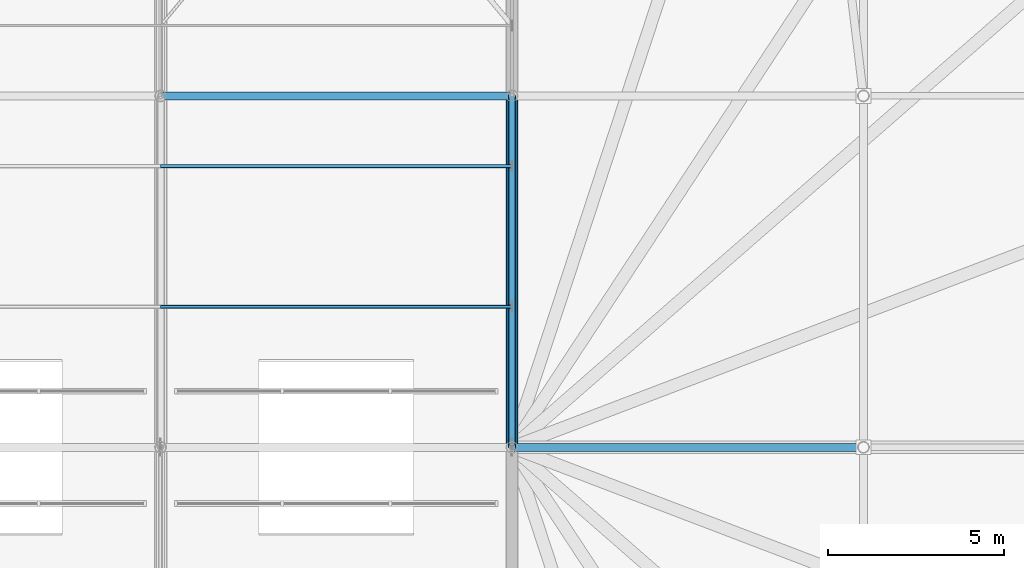
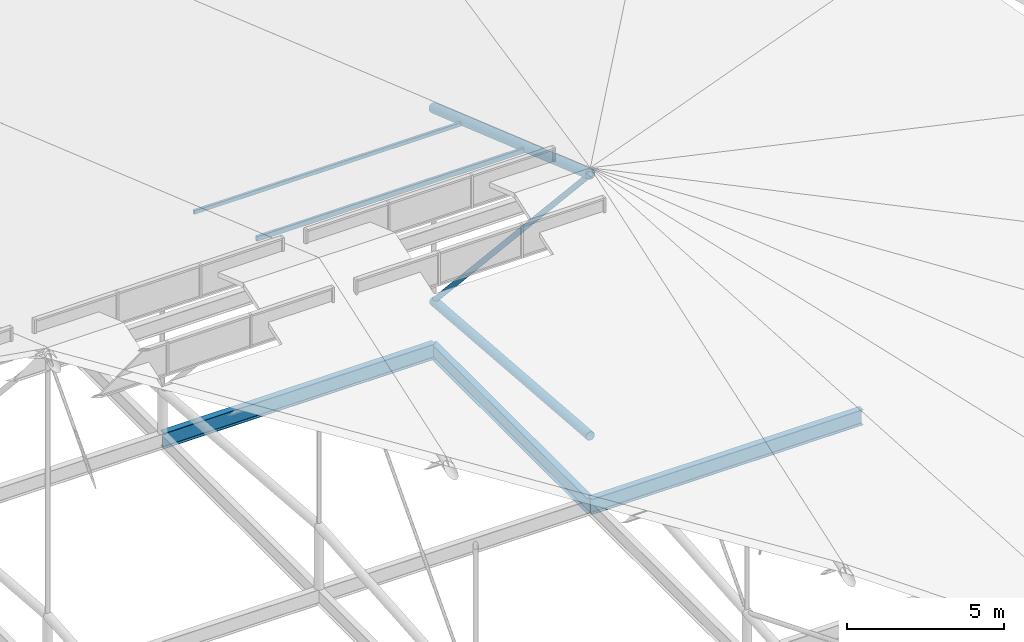
# One storey, part 68 of 93: 5 members, 3 beams.
"""IFC4 building model written with IfcOpenShell, lengths in metres."""

from ifc_helpers import new_model, si_unit, derived_unit, direction, frame, origin, origin_2d_with_axis, place, context, subcontext, project, spatial, hollow_rectangle, hollow_circle, i_section, extrude, material, material_profile, profile_set, type_object, element, save


model = new_model("IFC4")

# Units and contexts
model_context = context("Model", 3, precision=1e-05, world=origin(), true_north=direction((0.0, 1.0)))
body_context = subcontext(model_context, "Body", "Model", "MODEL_VIEW")
ifc_project = project(units=[si_unit("LENGTHUNIT", "METRE"), si_unit("AREAUNIT", "SQUARE_METRE"), si_unit("VOLUMEUNIT", "CUBIC_METRE"), si_unit("PLANEANGLEUNIT", "RADIAN"), si_unit("MASSUNIT", "GRAM", prefix="KILO"), derived_unit("THERMALTRANSMITTANCEUNIT", [(si_unit("POWERUNIT", "WATT"), 1), (si_unit("LENGTHUNIT", "METRE"), -2), (si_unit("THERMODYNAMICTEMPERATUREUNIT", "KELVIN"), -1)])], contexts=[model_context])

# Site, building, storey
site_placement = place(None, origin())
site = spatial("IfcSite", under=ifc_project, at=site_placement, CompositionType="ELEMENT")
building_placement = place(site_placement, origin())
building = spatial("IfcBuilding", under=site, at=building_placement, Name="Cinnabar Yard Market Hall", CompositionType="ELEMENT")
storey_placement = place(building_placement, frame((0.0, 0.0, 23.800048828125)))
storey = spatial("IfcBuildingStorey", under=building, at=storey_placement, Name="ROOF", CompositionType="ELEMENT", Elevation=23.800048828125)

# Beams
ifc_material_1 = material(Name="Steel Grade 300 (300 MPa)", Category="steel")
ifc_material_profile_1 = material_profile(ifc_material_1, i_section(OverallWidth=0.22802734375, OverallDepth=0.60205078125, WebThickness=0.010498046875, FlangeThickness=0.014892578125, FilletRadius=0.013916015625, at=origin_2d_with_axis()), Name="610UB101")
ifc_profile_set_1 = profile_set([ifc_material_profile_1], Name="Steel Grade 300 (300 MPa)")
beam_type = type_object("IfcBeamType", Name="BM-B02", PredefinedType="BEAM", material=ifc_profile_set_1)
for number, where, z_axis, x_axis, name in (
    (1, (146.0, 44.0, -9.700927734375), (1.0, 0.0, 0.0), (0.0, 1.0, 0.0), "Hall Longitudinal Tie Girder 00395"),
    (2, (136.0, 54.0, -9.700927734375), (1.0, 0.0, 0.0), (0.0, 1.0, 0.0), "Hall Longitudinal Tie Girder 00402"),
    (3, (146.0, 44.0, -9.700927734375), (0.0, 1.0, 0.0), (-1.0, 0.0, 0.0), "Hall Transverse Tie Girder 00442"),
):
    element("IfcBeam", number, at=place(storey_placement, frame(where, z_axis=z_axis, x_axis=x_axis)), inside=storey, type_object=beam_type, Name=name, PredefinedType="BEAM", context=body_context, shape_type="SweptSolid", body=[
        extrude(i_section(OverallWidth=0.22802734375, OverallDepth=0.60205078125, WebThickness=0.010498046875, FlangeThickness=0.014892578125, FilletRadius=0.013916015625, at=origin_2d_with_axis()), origin(), (0.0, 0.0, 1.0), 10.0),
    ])

# Members
ifc_material_2 = material(Name="Cold-formed steel C350L0", Category="steel")
ifc_material_profile_2 = material_profile(ifc_material_2, hollow_circle(Radius=0.161865234375, WallThickness=0.009521484375, at=origin_2d_with_axis()), Name="323.9x9.5CHS")
ifc_profile_set_2 = profile_set([ifc_material_profile_2], Name="Cold-formed steel C350L0")
member_type_1 = type_object("IfcMemberType", Name="MB-BC01", PredefinedType="CHORD", material=ifc_profile_set_2)
member_1_placement = place(storey_placement, frame((146.0, 44.0, -7.0), z_axis=(0.0, 0.99681489162, -0.07975005859), x_axis=(-1.0, 0.0, 0.0)))
element("IfcMember", 4, at=member_1_placement, inside=storey, type_object=member_type_1, Name="Hall Truss 146 Bottom Chord 4", PredefinedType="CHORD", context=body_context, shape_type="SweptSolid", body=[
    extrude(hollow_circle(Radius=0.161865234375, WallThickness=0.009521484375, at=origin_2d_with_axis()), origin(), (0.0, 0.0, 1.0), 10.031982421875),
])
ifc_material_profile_3 = material_profile(ifc_material_2, hollow_circle(Radius=0.096923828125, WallThickness=0.00634765625, at=origin_2d_with_axis()), Name="193.7x6.4CHS")
ifc_profile_set_3 = profile_set([ifc_material_profile_3], Name="Cold-formed steel C350L0")
member_type_2 = type_object("IfcMemberType", Name="MB-DG04", PredefinedType="BRACE", material=ifc_profile_set_3)
member_2_placement = place(storey_placement, frame((146.0, 44.0, 3.199951171875), z_axis=(0.0, 0.672672793996, -0.739940073396), x_axis=(-1.0, 0.0, 0.0)))
element("IfcMember", 5, at=member_2_placement, inside=storey, type_object=member_type_2, Name="Hall Truss 146 Diagonal 4", PredefinedType="BRACE", context=body_context, shape_type="SweptSolid", body=[
    extrude(hollow_circle(Radius=0.096923828125, WallThickness=0.00634765625, at=origin_2d_with_axis()), origin(), (0.0, 0.0, 1.0), 14.865966796875),
])
ifc_material_profile_4 = material_profile(ifc_material_2, hollow_rectangle(XDim=0.10009765625, YDim=0.199951171875, WallThickness=0.008056640625, InnerFilletRadius=0.008056640625, OuterFilletRadius=0.01611328125, at=origin_2d_with_axis()), Name="200x100x8.0RHS")
ifc_profile_set_4 = profile_set([ifc_material_profile_4], Name="Cold-formed steel C350L0")
member_type_3 = type_object("IfcMemberType", Name="MB-PU08", PredefinedType="PURLIN", material=ifc_profile_set_4)
member_3_placement = place(storey_placement, frame((136.0, 48.0, 1.767578125), z_axis=(1.0, 0.0, 0.0), x_axis=(0.0, 1.0, 0.0)))
element("IfcMember", 6, at=member_3_placement, inside=storey, type_object=member_type_3, Name="Hall Roof Purlin Y48 X136", PredefinedType="PURLIN", context=body_context, shape_type="SweptSolid", body=[
    extrude(hollow_rectangle(XDim=0.10009765625, YDim=0.199951171875, WallThickness=0.008056640625, InnerFilletRadius=0.008056640625, OuterFilletRadius=0.01611328125, at=origin_2d_with_axis()), origin(), (0.0, 0.0, 1.0), 10.0),
])
ifc_material_profile_5 = material_profile(ifc_material_2, hollow_rectangle(XDim=0.10009765625, YDim=0.14990234375, WallThickness=0.006103515625, InnerFilletRadius=0.006103515625, OuterFilletRadius=0.011962890625, at=origin_2d_with_axis()), Name="150x100x6.0RHS")
ifc_profile_set_5 = profile_set([ifc_material_profile_5], Name="Cold-formed steel C350L0")
member_type_4 = type_object("IfcMemberType", Name="MB-PU09", PredefinedType="PURLIN", material=ifc_profile_set_5)
member_4_placement = place(storey_placement, frame((136.0, 52.0, 0.37548828125), z_axis=(1.0, 0.0, 0.0), x_axis=(0.0, 1.0, 0.0)))
element("IfcMember", 7, at=member_4_placement, inside=storey, type_object=member_type_4, Name="Hall Roof Purlin Y52 X136", PredefinedType="PURLIN", context=body_context, shape_type="SweptSolid", body=[
    extrude(hollow_rectangle(XDim=0.10009765625, YDim=0.14990234375, WallThickness=0.006103515625, InnerFilletRadius=0.006103515625, OuterFilletRadius=0.011962890625, at=origin_2d_with_axis()), origin(), (0.0, 0.0, 1.0), 10.0),
])
ifc_material_profile_6 = material_profile(ifc_material_2, hollow_circle(Radius=0.177734375, WallThickness=0.0126953125, at=origin_2d_with_axis()), Name="355.6x12.7CHS")
ifc_profile_set_6 = profile_set([ifc_material_profile_6], Name="Cold-formed steel C350L0")
member_type_5 = type_object("IfcMemberType", Name="MB-TC01", PredefinedType="CHORD", material=ifc_profile_set_6)
member_5_placement = place(storey_placement, frame((146.0, 44.0, 3.199951171875), z_axis=(0.0, 0.944424919483, -0.328727199147), x_axis=(-1.0, 0.0, 0.0)))
element("IfcMember", 8, at=member_5_placement, inside=storey, type_object=member_type_5, Name="Hall Truss 146 Top Chord 4", PredefinedType="CHORD", context=body_context, shape_type="SweptSolid", body=[
    extrude(hollow_circle(Radius=0.177734375, WallThickness=0.0126953125, at=origin_2d_with_axis()), origin(), (0.0, 0.0, 1.0), 10.58837890625),
])

save(model, "model.ifc")
